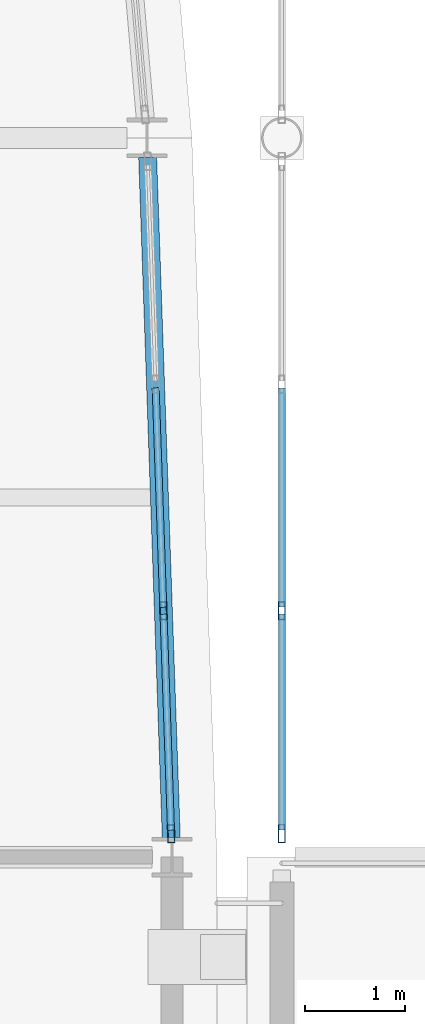
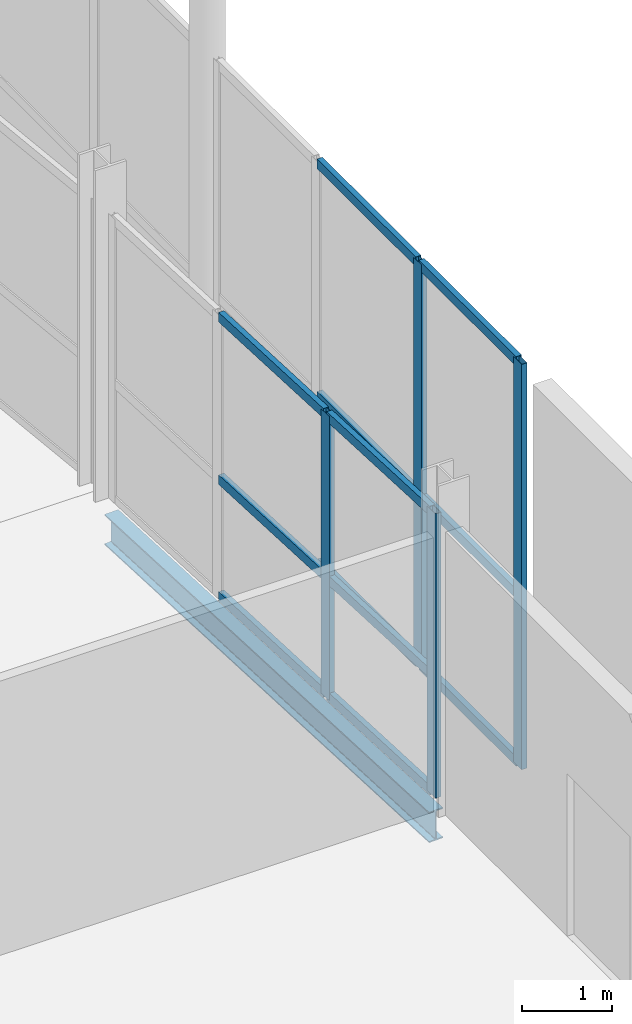
# One storey, part 32 of 77: 16 members, 1 beam, 2 elements without a shape of their own.
"""IFC4 building model written with IfcOpenShell, lengths in metres."""

from ifc_helpers import new_model, si_unit, direction, frame, origin, origin_2d, place, context, subcontext, project, spatial, hollow_rectangle, i_section, extrude, material, layer, layer_set, material_profile, profile_set, type_object, element, aggregate, save


model = new_model("IFC4")

# Units and contexts
model_context = context("Model", 3, precision=1e-05, world=origin(), true_north=direction((0.0, 1.0)))
body_context = subcontext(model_context, "Body", "Model", "MODEL_VIEW")
ifc_project = project(units=[si_unit("LENGTHUNIT", "METRE"), si_unit("AREAUNIT", "SQUARE_METRE"), si_unit("VOLUMEUNIT", "CUBIC_METRE"), si_unit("PLANEANGLEUNIT", "RADIAN"), si_unit("MASSUNIT", "GRAM", prefix="KILO")], contexts=[model_context])

# Site, building, storey
site_placement = place(None, origin())
site = spatial("IfcSite", under=ifc_project, at=site_placement, CompositionType="ELEMENT")
building_placement = place(site_placement, origin())
building = spatial("IfcBuilding", under=site, at=building_placement, Name="Quillay Park Conservatory", CompositionType="ELEMENT")
storey_placement = place(building_placement, frame((0.0, 0.0, 5.39990234375)))
storey = spatial("IfcBuildingStorey", under=building, at=storey_placement, Name="L01", CompositionType="ELEMENT", Elevation=5.39990234375)

# Curtain wall, members
ifc_material_1 = material(Name="Thermally Broken Anodised Aluminium 6063-T6", Category="aluminium")
ifc_layer_1 = layer(ifc_material_1, 0.179931640625)
ifc_layer_set_1 = layer_set([ifc_layer_1], Name="UNITISED CURTAIN WALL TOWER (Thermally Broken Anodised Aluminium 6063-T6)")
curtain_wall_type_1 = type_object("IfcCurtainWallType", Name="UNITISED CURTAIN WALL TOWER", PredefinedType="USERDEFINED", material=ifc_layer_set_1)
curtain_wall_1_placement = place(storey_placement, origin())
curtain_wall_1 = element("IfcCurtainWall", 1, at=curtain_wall_1_placement, inside=storey, type_object=curtain_wall_type_1, Name="L01 Unitised Curtain Wall 013", ObjectType="UNITISED CURTAIN WALL", PredefinedType="USERDEFINED")
ifc_material_2 = material(Name="Thermally Broken Anodised Aluminium 6063-T6", Category="aluminium")
ifc_material_profile_1 = material_profile(ifc_material_2, hollow_rectangle(XDim=0.070068359375, YDim=0.179931640625, WallThickness=0.00390625, at=origin_2d()), Name="AL70x180x4")
ifc_profile_set_1 = profile_set([ifc_material_profile_1], Name="Thermally Broken Anodised Aluminium 6063-T6")
member_type_1 = type_object("IfcMemberType", Name="CURTAIN WALL MULLION 70 X180", PredefinedType="MULLION", material=ifc_profile_set_1)
member_1_placement = place(storey_placement, frame((29.46435546875, 94.86669921875, 0.0), z_axis=(0.0, 0.0, 1.0), x_axis=(0.999397310446, 0.034713338537, 0.0)))
member_1 = element("IfcMember", 2, at=member_1_placement, type_object=member_type_1, Name="CW-T1 mullion 3", PredefinedType="MULLION", context=body_context, shape_type="SweptSolid", body=[
    extrude(hollow_rectangle(XDim=0.070068359375, YDim=0.179931640625, WallThickness=0.00390625, at=origin_2d()), origin(), (0.0, 0.0, 1.0), 3.859130859375),
])
member_2_placement = place(storey_placement, frame((29.5419921875, 92.634765625, 0.0), z_axis=(0.0, 0.0, 1.0), x_axis=(0.999397310446, 0.034713338537, 0.0)))
member_2 = element("IfcMember", 3, at=member_2_placement, type_object=member_type_1, Name="CW-T1 mullion 4", PredefinedType="MULLION", context=body_context, shape_type="SweptSolid", body=[
    extrude(hollow_rectangle(XDim=0.070068359375, YDim=0.179931640625, WallThickness=0.00390625, at=origin_2d()), origin(), (0.0, 0.0, 1.0), 3.859130859375),
])

ifc_material_3 = material(Name="Thermally Broken Anodised Aluminium 6063-T6", Category="aluminium")
ifc_layer_2 = layer(ifc_material_3, 0.219970703125)
ifc_layer_set_2 = layer_set([ifc_layer_2], Name="UNITISED CURTAIN WALL CONSERVATORY (Thermally Broken Anodised Aluminium 6063-T6)")
curtain_wall_type_2 = type_object("IfcCurtainWallType", Name="UNITISED CURTAIN WALL CONSERVATORY", PredefinedType="USERDEFINED", material=ifc_layer_set_2)
curtain_wall_2_placement = place(storey_placement, origin())
curtain_wall_2 = element("IfcCurtainWall", 4, at=curtain_wall_2_placement, inside=storey, type_object=curtain_wall_type_2, Name="L01 Unitised Curtain Wall 164", ObjectType="UNITISED CURTAIN WALL", PredefinedType="USERDEFINED")
member_3_placement = place(storey_placement, frame((30.64990234375, 92.636962890625, 0.0), z_axis=(0.0, 0.0, 1.0), x_axis=(-1.0, 0.0, 0.0)))
member_3 = element("IfcMember", 5, at=member_3_placement, type_object=member_type_1, Name="CW-C1 mullion 1", PredefinedType="MULLION", context=body_context, shape_type="SweptSolid", body=[
    extrude(hollow_rectangle(XDim=0.070068359375, YDim=0.179931640625, WallThickness=0.00390625, at=origin_2d()), origin(), (0.0, 0.0, 1.0), 5.5),
])
member_4_placement = place(storey_placement, frame((30.64990234375, 94.867431640625, 0.0), z_axis=(0.0, 0.0, 1.0), x_axis=(-1.0, 0.0, 0.0)))
member_4 = element("IfcMember", 6, at=member_4_placement, type_object=member_type_1, Name="CW-C1 mullion 2", PredefinedType="MULLION", context=body_context, shape_type="SweptSolid", body=[
    extrude(hollow_rectangle(XDim=0.070068359375, YDim=0.179931640625, WallThickness=0.00390625, at=origin_2d()), origin(), (0.0, 0.0, 1.0), 5.5),
])

# Member
ifc_material_4 = material(Name="Thermally Broken Anodised Aluminium 6063-T6", Category="aluminium")
ifc_material_profile_2 = material_profile(ifc_material_4, hollow_rectangle(XDim=0.070068359375, YDim=0.1298828125, WallThickness=0.003173828125, at=origin_2d()), Name="AL70x130x3.2")
ifc_profile_set_2 = profile_set([ifc_material_profile_2], Name="Thermally Broken Anodised Aluminium 6063-T6")
member_type_2 = type_object("IfcMemberType", Name="CURTAIN WALL TRANSOM 70 X130", PredefinedType="USERDEFINED", material=ifc_profile_set_2)
member_5_placement = place(storey_placement, frame((29.386962890625, 97.098388671875, 0.03515625), z_axis=(0.034653546152, -0.999399385501, 0.0), x_axis=(0.999399385501, 0.034653546152, 0.0)))
member_5 = element("IfcMember", 7, at=member_5_placement, type_object=member_type_2, Name="CW-T1 transom 2.1", ObjectType="TRANSOM", PredefinedType="USERDEFINED", context=body_context, shape_type="SweptSolid", body=[
    extrude(hollow_rectangle(XDim=0.070068359375, YDim=0.1298828125, WallThickness=0.003173828125, at=origin_2d()), origin(), (0.0, 0.0, 1.0), 2.197998046875),
])

member_6_placement = place(storey_placement, frame((29.386962890625, 97.098388671875, 1.620849609375), z_axis=(0.034653546152, -0.999399385501, 0.0), x_axis=(0.999399385501, 0.034653546152, 0.0)))
member_6 = element("IfcMember", 8, at=member_6_placement, type_object=member_type_2, Name="CW-T1 transom 2.2", ObjectType="TRANSOM", PredefinedType="USERDEFINED", context=body_context, shape_type="SweptSolid", body=[
    extrude(hollow_rectangle(XDim=0.070068359375, YDim=0.1298828125, WallThickness=0.003173828125, at=origin_2d()), origin(), (0.0, 0.0, 1.0), 2.197998046875),
])

member_7_placement = place(storey_placement, frame((29.386962890625, 97.098388671875, 3.82421875), z_axis=(0.034653546152, -0.999399385501, 0.0), x_axis=(0.999399385501, 0.034653546152, 0.0)))
member_7 = element("IfcMember", 9, at=member_7_placement, type_object=member_type_2, Name="CW-T1 transom 2.3", ObjectType="TRANSOM", PredefinedType="USERDEFINED", context=body_context, shape_type="SweptSolid", body=[
    extrude(hollow_rectangle(XDim=0.070068359375, YDim=0.1298828125, WallThickness=0.003173828125, at=origin_2d()), origin(), (0.0, 0.0, 1.0), 2.197998046875),
])

member_8_placement = place(storey_placement, frame((29.465576171875, 94.83154296875, 0.03515625), z_axis=(0.034765508592, -0.999395496994, 0.0), x_axis=(0.999395496994, 0.034765508592, 0.0)))
member_8 = element("IfcMember", 10, at=member_8_placement, type_object=member_type_2, Name="CW-T1 transom 3.1", ObjectType="TRANSOM", PredefinedType="USERDEFINED", context=body_context, shape_type="SweptSolid", body=[
    extrude(hollow_rectangle(XDim=0.070068359375, YDim=0.1298828125, WallThickness=0.003173828125, at=origin_2d()), origin(), (0.0, 0.0, 1.0), 2.162841796875),
])

member_9_placement = place(storey_placement, frame((29.465576171875, 94.83154296875, 1.620849609375), z_axis=(0.034765508592, -0.999395496994, 0.0), x_axis=(0.999395496994, 0.034765508592, 0.0)))
member_9 = element("IfcMember", 11, at=member_9_placement, type_object=member_type_2, Name="CW-T1 transom 3.2", ObjectType="TRANSOM", PredefinedType="USERDEFINED", context=body_context, shape_type="SweptSolid", body=[
    extrude(hollow_rectangle(XDim=0.070068359375, YDim=0.1298828125, WallThickness=0.003173828125, at=origin_2d()), origin(), (0.0, 0.0, 1.0), 2.162841796875),
])

member_10_placement = place(storey_placement, frame((29.465576171875, 94.83154296875, 3.82421875), z_axis=(0.034765508592, -0.999395496994, 0.0), x_axis=(0.999395496994, 0.034765508592, 0.0)))
member_10 = element("IfcMember", 12, at=member_10_placement, type_object=member_type_2, Name="CW-T1 transom 3.3", ObjectType="TRANSOM", PredefinedType="USERDEFINED", context=body_context, shape_type="SweptSolid", body=[
    extrude(hollow_rectangle(XDim=0.070068359375, YDim=0.1298828125, WallThickness=0.003173828125, at=origin_2d()), origin(), (0.0, 0.0, 1.0), 2.162841796875),
])

aggregate(curtain_wall_1, [member_1, member_2, member_5, member_6, member_7, member_8, member_9, member_10])

member_11_placement = place(storey_placement, frame((30.64990234375, 92.672119140625, 0.03515625), z_axis=(0.0, 1.0, 0.0), x_axis=(-1.0, 0.0, 0.0)))
member_11 = element("IfcMember", 13, at=member_11_placement, type_object=member_type_2, Name="CW-C1 transom 1.1", ObjectType="TRANSOM", PredefinedType="USERDEFINED", context=body_context, shape_type="SweptSolid", body=[
    extrude(hollow_rectangle(XDim=0.070068359375, YDim=0.1298828125, WallThickness=0.003173828125, at=origin_2d()), origin(), (0.0, 0.0, 1.0), 2.16015625),
])

member_12_placement = place(storey_placement, frame((30.64990234375, 92.672119140625, 2.31005859375), z_axis=(0.0, 1.0, 0.0), x_axis=(-1.0, 0.0, 0.0)))
member_12 = element("IfcMember", 14, at=member_12_placement, type_object=member_type_2, Name="CW-C1 transom 1.2", ObjectType="TRANSOM", PredefinedType="USERDEFINED", context=body_context, shape_type="SweptSolid", body=[
    extrude(hollow_rectangle(XDim=0.070068359375, YDim=0.1298828125, WallThickness=0.003173828125, at=origin_2d()), origin(), (0.0, 0.0, 1.0), 2.16015625),
])

member_13_placement = place(storey_placement, frame((30.64990234375, 92.672119140625, 5.465087890625), z_axis=(0.0, 1.0, 0.0), x_axis=(-1.0, 0.0, 0.0)))
member_13 = element("IfcMember", 15, at=member_13_placement, type_object=member_type_2, Name="CW-C1 transom 1.3", ObjectType="TRANSOM", PredefinedType="USERDEFINED", context=body_context, shape_type="SweptSolid", body=[
    extrude(hollow_rectangle(XDim=0.070068359375, YDim=0.1298828125, WallThickness=0.003173828125, at=origin_2d()), origin(), (0.0, 0.0, 1.0), 2.16015625),
])

member_14_placement = place(storey_placement, frame((30.64990234375, 94.90234375, 0.03515625), z_axis=(0.0, 1.0, 0.0), x_axis=(-1.0, 0.0, 0.0)))
member_14 = element("IfcMember", 16, at=member_14_placement, type_object=member_type_2, Name="CW-C1 transom 2.1", ObjectType="TRANSOM", PredefinedType="USERDEFINED", context=body_context, shape_type="SweptSolid", body=[
    extrude(hollow_rectangle(XDim=0.070068359375, YDim=0.1298828125, WallThickness=0.003173828125, at=origin_2d()), origin(), (0.0, 0.0, 1.0), 2.1953125),
])

member_15_placement = place(storey_placement, frame((30.64990234375, 94.90234375, 2.31005859375), z_axis=(0.0, 1.0, 0.0), x_axis=(-1.0, 0.0, 0.0)))
member_15 = element("IfcMember", 17, at=member_15_placement, type_object=member_type_2, Name="CW-C1 transom 2.2", ObjectType="TRANSOM", PredefinedType="USERDEFINED", context=body_context, shape_type="SweptSolid", body=[
    extrude(hollow_rectangle(XDim=0.070068359375, YDim=0.1298828125, WallThickness=0.003173828125, at=origin_2d()), origin(), (0.0, 0.0, 1.0), 2.1953125),
])

member_16_placement = place(storey_placement, frame((30.64990234375, 94.90234375, 5.465087890625), z_axis=(0.0, 1.0, 0.0), x_axis=(-1.0, 0.0, 0.0)))
member_16 = element("IfcMember", 18, at=member_16_placement, type_object=member_type_2, Name="CW-C1 transom 2.3", ObjectType="TRANSOM", PredefinedType="USERDEFINED", context=body_context, shape_type="SweptSolid", body=[
    extrude(hollow_rectangle(XDim=0.070068359375, YDim=0.1298828125, WallThickness=0.003173828125, at=origin_2d()), origin(), (0.0, 0.0, 1.0), 2.1953125),
])

aggregate(curtain_wall_2, [member_3, member_4, member_11, member_12, member_13, member_14, member_15, member_16])

# Beam
ifc_material_5 = material(Name="Steel ASTM A992 Grade 50", Category="steel")
ifc_material_profile_3 = material_profile(ifc_material_5, i_section(OverallWidth=0.179931640625, OverallDepth=0.4130859375, WebThickness=0.009765625, FlangeThickness=0.01611328125, FilletRadius=0.011962890625, at=origin_2d()), Name="W410x74")
ifc_profile_set_3 = profile_set([ifc_material_profile_3], Name="Steel ASTM A992 Grade 50")
beam_type = type_object("IfcBeamType", Name="PERIMETER SPANDREL BEAM W410 X74", PredefinedType="SPANDREL", material=ifc_profile_set_3)
beam_placement = place(storey_placement, frame((29.543212890625, 92.596435546875, -0.406494140625), z_axis=(-0.034696834921, 0.999397883551, 0.0), x_axis=(-0.999397883551, -0.034696834921, 0.0)))
element("IfcBeam", 19, at=beam_placement, inside=storey, type_object=beam_type, Name="L01 beam BM-SPE-0157", PredefinedType="SPANDREL", context=body_context, shape_type="SweptSolid", body=[
    extrude(i_section(OverallWidth=0.179931640625, OverallDepth=0.4130859375, WebThickness=0.009765625, FlangeThickness=0.01611328125, FilletRadius=0.011962890625, at=origin_2d()), origin(), (0.0, 0.0, 1.0), 6.811279296875),
])

save(model, "model.ifc")
